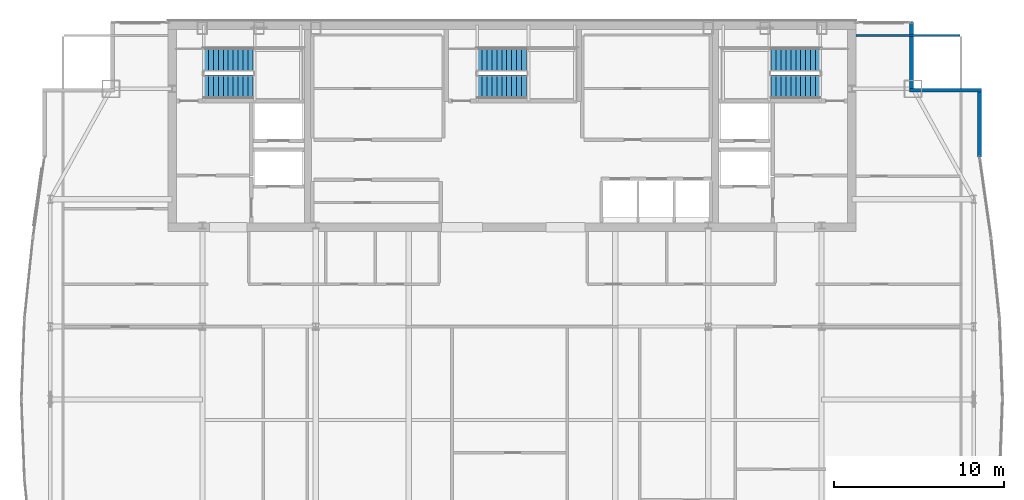
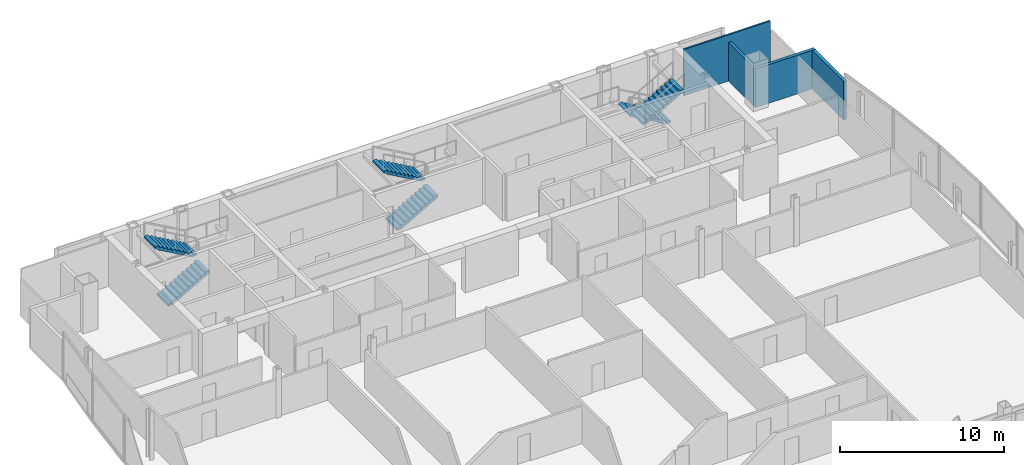
# One storey, part 28 of 30: 6 stair flights, 4 walls, 3 elements without a shape of their own.
"""IFC4 building model written with IfcOpenShell, lengths in metres."""

from ifc_helpers import new_model, si_unit, direction, frame, frame_2d, origin, place, context, subcontext, project, spatial, polyline, rectangle, outline, extrude, material, layer, layer_set, type_object, element, aggregate, save


model = new_model("IFC4")

# Units and contexts
model_context = context("Model", 3, precision=1e-05, world=origin(), true_north=direction((0.0, 1.0)))
body_context = subcontext(model_context, "Body", "Model", "MODEL_VIEW")
ifc_project = project(units=[si_unit("LENGTHUNIT", "METRE"), si_unit("AREAUNIT", "SQUARE_METRE"), si_unit("VOLUMEUNIT", "CUBIC_METRE"), si_unit("PLANEANGLEUNIT", "RADIAN"), si_unit("MASSUNIT", "GRAM", prefix="KILO")], contexts=[model_context])

# Site, building, storey
site_placement = place(None, origin())
site = spatial("IfcSite", under=ifc_project, at=site_placement, CompositionType="ELEMENT")
building_placement = place(site_placement, origin())
building = spatial("IfcBuilding", under=site, at=building_placement, Name="Khoronbel Lancet Exchange", CompositionType="ELEMENT")
storey_placement = place(building_placement, frame((0.0, 0.0, 280.60009765625)))
storey = spatial("IfcBuildingStorey", under=building, at=storey_placement, Name="L72", CompositionType="ELEMENT", Elevation=280.60009765625)

# Walls
ifc_material_1 = material(Name="Precast concrete C40/50", Category="concrete")
ifc_layer_1 = layer(ifc_material_1, 0.25, Name="Precast concrete C40/50")
ifc_layer_set_1 = layer_set([ifc_layer_1], Name="Precast concrete C40/50")
wall_type_1 = type_object("IfcWallType", Name="WL-EXT250", PredefinedType="SOLIDWALL", material=ifc_layer_set_1)
wall_1_placement = place(storey_placement, frame((59.9599609375, 53.6298828125, 0.0), z_axis=(0.0, 0.0, 1.0), x_axis=(0.0, -1.0, 0.0)))
element("IfcWall", 1, at=wall_1_placement, inside=storey, type_object=wall_type_1, Name="Level L72 notched-corner limestone pier 14", PredefinedType="SOLIDWALL", context=body_context, shape_type="SweptSolid", body=[
    extrude(rectangle(XDim=3.909912109375, YDim=0.219970703125, at=frame_2d((1.955078125, 0.0))), origin(), (0.0, 0.0, 1.0), 2.8798828125),
])
wall_2_placement = place(storey_placement, frame((59.85009765625, 49.610107421875, 0.0), z_axis=(0.0, 0.0, 1.0), x_axis=(1.0, 0.0, 0.0)))
element("IfcWall", 2, at=wall_2_placement, inside=storey, type_object=wall_type_1, Name="Level L72 notched-corner limestone pier 15", PredefinedType="SOLIDWALL", context=body_context, shape_type="SweptSolid", body=[
    extrude(rectangle(XDim=4.219970703125, YDim=0.219970703125, at=frame_2d((2.10986328125, 0.0))), origin(), (0.0, 0.0, 1.0), 2.8798828125),
])
wall_3_placement = place(storey_placement, frame((63.9599609375, 49.5, 0.0), z_axis=(0.0, 0.0, 1.0), x_axis=(0.0, -1.0, 0.0)))
element("IfcWall", 3, at=wall_3_placement, inside=storey, type_object=wall_type_1, Name="Level L72 notched-corner limestone pier 16", PredefinedType="SOLIDWALL", context=body_context, shape_type="SweptSolid", body=[
    extrude(rectangle(XDim=3.826416015625, YDim=0.219970703125, at=frame_2d((1.9130859375, 0.0))), origin(), (0.0, 0.0, 1.0), 2.8798828125),
])
ifc_material_2 = material(Name="Acoustic Metal-Stud & Mineral-Wool Gypsum Partition 120 mm", Category="gypsum")
ifc_layer_2 = layer(ifc_material_2, 0.1201171875, Name="Acoustic Metal-Stud & Mineral-Wool Gypsum Partition 120 mm")
ifc_layer_set_2 = layer_set([ifc_layer_2], Name="Acoustic Metal-Stud & Mineral-Wool Gypsum Partition 120 mm")
wall_type_2 = type_object("IfcWallType", Name="WL-PRT120", PredefinedType="PARTITIONING", material=ifc_layer_set_2)
wall_4_placement = place(storey_placement, frame((56.699951171875, 52.840087890625, 0.0), z_axis=(0.0, 0.0, 1.0), x_axis=(1.0, 0.0, 0.0)))
element("IfcWall", 4, at=wall_4_placement, inside=storey, type_object=wall_type_2, Name="Level L72 interior partition PW-LIN-NE", PredefinedType="PARTITIONING", context=body_context, shape_type="SweptSolid", body=[
    extrude(rectangle(XDim=6.10498046875, YDim=0.1201171875, at=frame_2d((3.052490234375, 0.0))), origin(), (0.0, 0.0, 1.0), 3.43994140625),
])

# Stair, stair flights
ifc_material_3 = material(Name="Concrete C40/50", Category="concrete")
stair_type = type_object("IfcStairType", Name="STR-CORE150", PredefinedType="HALF_TURN_STAIR", material=ifc_material_3)
stair_1_placement = place(storey_placement, origin())
stair_1 = element("IfcStair", 5, at=stair_1_placement, inside=storey, type_object=stair_type, Name="L72 Protected Exit Stair ST1", PredefinedType="HALF_TURN_STAIR")
stair_flight_type = type_object("IfcStairFlightType", Name="STF-150", PredefinedType="STRAIGHT", material=ifc_material_3)
stair_flight_1_placement = place(storey_placement, frame((18.300048828125, 49.81005859375, 0.0), z_axis=(0.0, 0.0, 1.0), x_axis=(1.0, 0.0, 0.0)))
stair_flight_1 = element("IfcStairFlight", 6, at=stair_flight_1_placement, type_object=stair_flight_type, Name="ST1 flight 1", NumberOfRisers=11, NumberOfTreads=10, PredefinedType="STRAIGHT", RiserHeight=0.163636364, TreadLength=0.29, context=body_context, shape_type="SweptSolid", body=[
    extrude(outline(polyline([(0.0, 0.0), (0.0, 0.16357421875), (0.2900390625, 0.16357421875), (0.2900390625, 0.327392578125), (0.580078125, 0.327392578125), (0.580078125, 0.490966796875), (0.8701171875, 0.490966796875), (0.8701171875, 0.654541015625), (1.159912109375, 0.654541015625), (1.159912109375, 0.818115234375), (1.449951171875, 0.818115234375), (1.449951171875, 0.98193359375), (1.739990234375, 0.98193359375), (1.739990234375, 1.1455078125), (2.030029296875, 1.1455078125), (2.030029296875, 1.30908203125), (2.320068359375, 1.30908203125), (2.320068359375, 1.47265625), (2.610107421875, 1.47265625), (2.610107421875, 1.636474609375), (2.89990234375, 1.636474609375), (2.89990234375, 1.800048828125), (2.89990234375, 1.46435546875), (0.304931640625, 0.0), (0.0, 0.0)])), frame((0.0, 0.68994140625, 0.0), z_axis=(0.0, -1.0, 0.0), x_axis=(1.0, 0.0, 0.0)), (0.0, 0.0, 1.0), 1.3798828125),
])
stair_flight_2_placement = place(storey_placement, frame((21.199951171875, 51.409912109375, 1.7998046875), z_axis=(0.0, 0.0, 1.0), x_axis=(-1.0, 0.0, 0.0)))
stair_flight_2 = element("IfcStairFlight", 7, at=stair_flight_2_placement, type_object=stair_flight_type, Name="ST1 flight 2", NumberOfRisers=11, NumberOfTreads=10, PredefinedType="STRAIGHT", RiserHeight=0.163636364, TreadLength=0.29, context=body_context, shape_type="SweptSolid", body=[
    extrude(outline(polyline([(0.0, 0.0), (0.0, 0.16357421875), (0.2900390625, 0.16357421875), (0.2900390625, 0.327392578125), (0.580078125, 0.327392578125), (0.580078125, 0.490966796875), (0.8701171875, 0.490966796875), (0.8701171875, 0.654541015625), (1.159912109375, 0.654541015625), (1.159912109375, 0.818115234375), (1.449951171875, 0.818115234375), (1.449951171875, 0.98193359375), (1.739990234375, 0.98193359375), (1.739990234375, 1.1455078125), (2.030029296875, 1.1455078125), (2.030029296875, 1.30908203125), (2.320068359375, 1.30908203125), (2.320068359375, 1.47265625), (2.610107421875, 1.47265625), (2.610107421875, 1.636474609375), (2.89990234375, 1.636474609375), (2.89990234375, 1.800048828125), (2.89990234375, 1.46435546875), (0.304931640625, 0.0), (0.0, 0.0)])), frame((0.0, 0.68994140625, 0.0), z_axis=(0.0, -1.0, 0.0), x_axis=(1.0, 0.0, 0.0)), (0.0, 0.0, 1.0), 1.3798828125),
])
aggregate(stair_1, [stair_flight_1, stair_flight_2])

stair_2_placement = place(storey_placement, origin())
stair_2 = element("IfcStair", 8, at=stair_2_placement, inside=storey, type_object=stair_type, Name="L72 Protected Exit Stair ST2", PredefinedType="HALF_TURN_STAIR")
stair_flight_3_placement = place(storey_placement, frame((54.60009765625, 51.409912109375, 0.0), z_axis=(0.0, 0.0, 1.0), x_axis=(-1.0, 0.0, 0.0)))
stair_flight_3 = element("IfcStairFlight", 9, at=stair_flight_3_placement, type_object=stair_flight_type, Name="ST2 flight 1", NumberOfRisers=11, NumberOfTreads=10, PredefinedType="STRAIGHT", RiserHeight=0.163636364, TreadLength=0.29, context=body_context, shape_type="SweptSolid", body=[
    extrude(outline(polyline([(0.0, 0.0), (0.0, 0.16357421875), (0.2900390625, 0.16357421875), (0.2900390625, 0.327392578125), (0.580078125, 0.327392578125), (0.580078125, 0.490966796875), (0.8701171875, 0.490966796875), (0.8701171875, 0.654541015625), (1.159912109375, 0.654541015625), (1.159912109375, 0.818115234375), (1.449951171875, 0.818115234375), (1.449951171875, 0.98193359375), (1.739990234375, 0.98193359375), (1.739990234375, 1.1455078125), (2.030029296875, 1.1455078125), (2.030029296875, 1.30908203125), (2.320068359375, 1.30908203125), (2.320068359375, 1.47265625), (2.610107421875, 1.47265625), (2.610107421875, 1.636474609375), (2.89990234375, 1.636474609375), (2.89990234375, 1.800048828125), (2.89990234375, 1.46435546875), (0.304931640625, 0.0), (0.0, 0.0)])), frame((0.0, 0.68994140625, 0.0), z_axis=(0.0, -1.0, 0.0), x_axis=(1.0, 0.0, 0.0)), (0.0, 0.0, 1.0), 1.3798828125),
])
stair_flight_4_placement = place(storey_placement, frame((51.699951171875, 49.81005859375, 1.7998046875), z_axis=(0.0, 0.0, 1.0), x_axis=(1.0, 0.0, 0.0)))
stair_flight_4 = element("IfcStairFlight", 10, at=stair_flight_4_placement, type_object=stair_flight_type, Name="ST2 flight 2", NumberOfRisers=11, NumberOfTreads=10, PredefinedType="STRAIGHT", RiserHeight=0.163636364, TreadLength=0.29, context=body_context, shape_type="SweptSolid", body=[
    extrude(outline(polyline([(0.0, 0.0), (0.0, 0.16357421875), (0.2900390625, 0.16357421875), (0.2900390625, 0.327392578125), (0.580078125, 0.327392578125), (0.580078125, 0.490966796875), (0.8701171875, 0.490966796875), (0.8701171875, 0.654541015625), (1.159912109375, 0.654541015625), (1.159912109375, 0.818115234375), (1.449951171875, 0.818115234375), (1.449951171875, 0.98193359375), (1.739990234375, 0.98193359375), (1.739990234375, 1.1455078125), (2.030029296875, 1.1455078125), (2.030029296875, 1.30908203125), (2.320068359375, 1.30908203125), (2.320068359375, 1.47265625), (2.610107421875, 1.47265625), (2.610107421875, 1.636474609375), (2.89990234375, 1.636474609375), (2.89990234375, 1.800048828125), (2.89990234375, 1.46435546875), (0.304931640625, 0.0), (0.0, 0.0)])), frame((0.0, 0.68994140625, 0.0), z_axis=(0.0, -1.0, 0.0), x_axis=(1.0, 0.0, 0.0)), (0.0, 0.0, 1.0), 1.3798828125),
])
aggregate(stair_2, [stair_flight_3, stair_flight_4])

stair_3_placement = place(storey_placement, origin())
stair_3 = element("IfcStair", 11, at=stair_3_placement, inside=storey, type_object=stair_type, Name="L72 Protected Exit Stair ST3", PredefinedType="HALF_TURN_STAIR")
stair_flight_5_placement = place(storey_placement, frame((34.39990234375, 49.81005859375, 0.0), z_axis=(0.0, 0.0, 1.0), x_axis=(1.0, 0.0, 0.0)))
stair_flight_5 = element("IfcStairFlight", 12, at=stair_flight_5_placement, type_object=stair_flight_type, Name="ST3 flight 1", NumberOfRisers=11, NumberOfTreads=10, PredefinedType="STRAIGHT", RiserHeight=0.163636364, TreadLength=0.29, context=body_context, shape_type="SweptSolid", body=[
    extrude(outline(polyline([(0.0, 0.0), (0.0, 0.16357421875), (0.2900390625, 0.16357421875), (0.2900390625, 0.327392578125), (0.580078125, 0.327392578125), (0.580078125, 0.490966796875), (0.8701171875, 0.490966796875), (0.8701171875, 0.654541015625), (1.159912109375, 0.654541015625), (1.159912109375, 0.818115234375), (1.449951171875, 0.818115234375), (1.449951171875, 0.98193359375), (1.739990234375, 0.98193359375), (1.739990234375, 1.1455078125), (2.030029296875, 1.1455078125), (2.030029296875, 1.30908203125), (2.320068359375, 1.30908203125), (2.320068359375, 1.47265625), (2.610107421875, 1.47265625), (2.610107421875, 1.636474609375), (2.89990234375, 1.636474609375), (2.89990234375, 1.800048828125), (2.89990234375, 1.46435546875), (0.304931640625, 0.0), (0.0, 0.0)])), frame((0.0, 0.68994140625, 0.0), z_axis=(0.0, -1.0, 0.0), x_axis=(1.0, 0.0, 0.0)), (0.0, 0.0, 1.0), 1.3798828125),
])
stair_flight_6_placement = place(storey_placement, frame((37.300048828125, 51.409912109375, 1.7998046875), z_axis=(0.0, 0.0, 1.0), x_axis=(-1.0, 0.0, 0.0)))
stair_flight_6 = element("IfcStairFlight", 13, at=stair_flight_6_placement, type_object=stair_flight_type, Name="ST3 flight 2", NumberOfRisers=11, NumberOfTreads=10, PredefinedType="STRAIGHT", RiserHeight=0.163636364, TreadLength=0.29, context=body_context, shape_type="SweptSolid", body=[
    extrude(outline(polyline([(0.0, 0.0), (0.0, 0.16357421875), (0.2900390625, 0.16357421875), (0.2900390625, 0.327392578125), (0.580078125, 0.327392578125), (0.580078125, 0.490966796875), (0.8701171875, 0.490966796875), (0.8701171875, 0.654541015625), (1.159912109375, 0.654541015625), (1.159912109375, 0.818115234375), (1.449951171875, 0.818115234375), (1.449951171875, 0.98193359375), (1.739990234375, 0.98193359375), (1.739990234375, 1.1455078125), (2.030029296875, 1.1455078125), (2.030029296875, 1.30908203125), (2.320068359375, 1.30908203125), (2.320068359375, 1.47265625), (2.610107421875, 1.47265625), (2.610107421875, 1.636474609375), (2.89990234375, 1.636474609375), (2.89990234375, 1.800048828125), (2.89990234375, 1.46435546875), (0.304931640625, 0.0), (0.0, 0.0)])), frame((0.0, 0.68994140625, 0.0), z_axis=(0.0, -1.0, 0.0), x_axis=(1.0, 0.0, 0.0)), (0.0, 0.0, 1.0), 1.3798828125),
])
aggregate(stair_3, [stair_flight_5, stair_flight_6])

save(model, "model.ifc")
